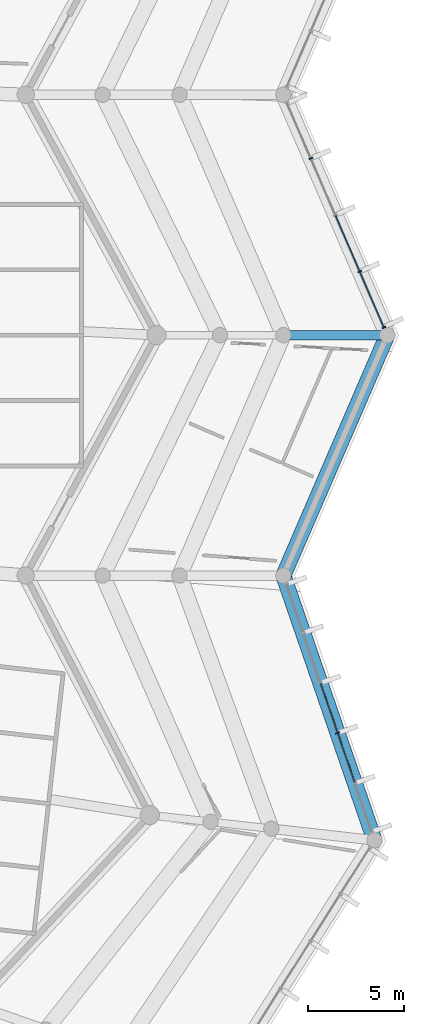
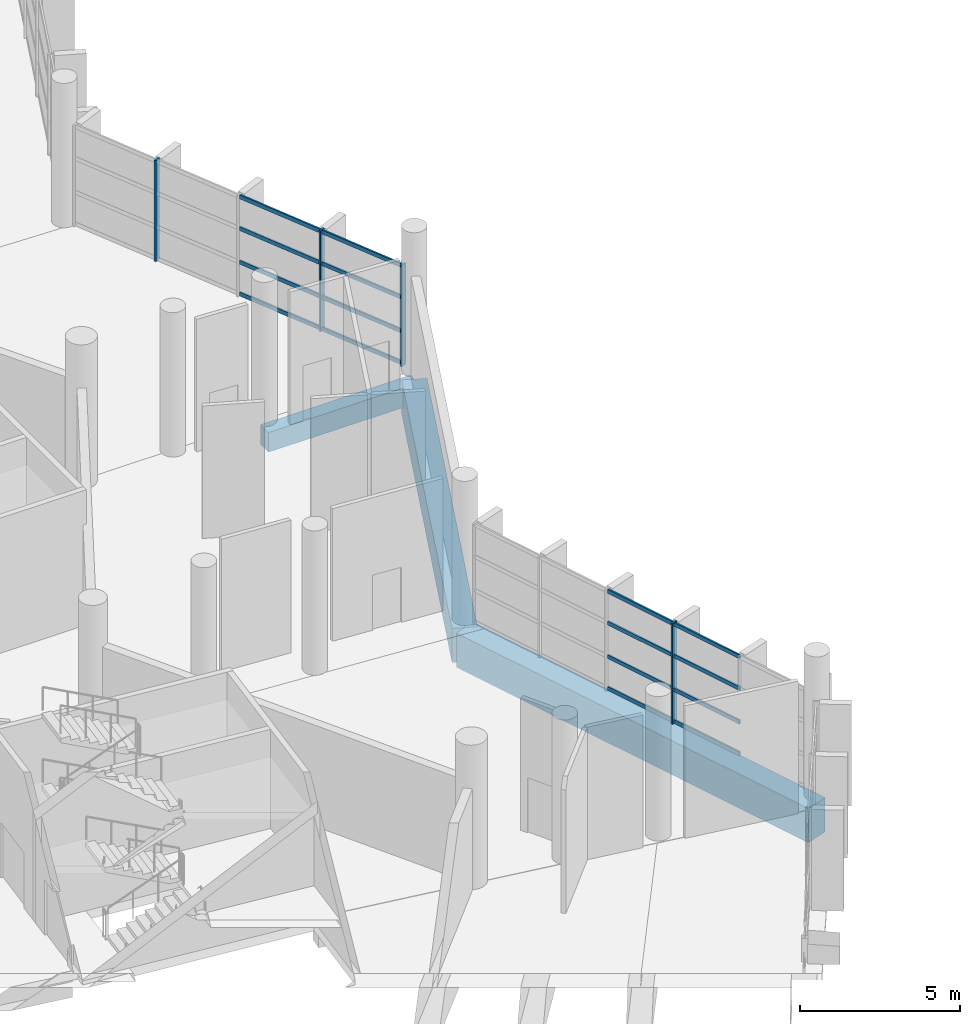
# One storey, part 61 of 271: 20 members, 3 beams, 2 elements without a shape of their own.
"""IFC4 building model written with IfcOpenShell, lengths in metres."""

from ifc_helpers import new_model, si_unit, direction, frame, origin, origin_2d, place, context, subcontext, project, spatial, rectangle, extrude, material, layer, layer_set, material_profile, profile_set, type_object, element, aggregate, save


model = new_model("IFC4")

# Units and contexts
model_context = context("Model", 3, precision=1e-05, world=origin(), true_north=direction((0.0, 1.0)))
body_context = subcontext(model_context, "Body", "Model", "MODEL_VIEW")
ifc_project = project(units=[si_unit("LENGTHUNIT", "METRE"), si_unit("AREAUNIT", "SQUARE_METRE"), si_unit("VOLUMEUNIT", "CUBIC_METRE"), si_unit("PLANEANGLEUNIT", "RADIAN"), si_unit("MASSUNIT", "GRAM", prefix="KILO")], contexts=[model_context])

# Site, building, storey
site_placement = place(None, origin())
site = spatial("IfcSite", under=ifc_project, at=site_placement, CompositionType="ELEMENT")
building_placement = place(site_placement, origin())
building = spatial("IfcBuilding", under=site, at=building_placement, Name="Meseta Stadium", CompositionType="ELEMENT")
storey_placement = place(building_placement, frame((0.0, 0.0, 6.5)))
storey = spatial("IfcBuildingStorey", under=building, at=storey_placement, Name="L01", CompositionType="ELEMENT", Elevation=6.5)

# Beams
ifc_material_1 = material(Name="Concrete C40/50", Category="concrete")
ifc_material_profile_1 = material_profile(ifc_material_1, rectangle(XDim=0.5, YDim=0.75, at=origin_2d()), Name="RC 500x750")
ifc_profile_set_1 = profile_set([ifc_material_profile_1], Name="Concrete C40/50")
beam_type_1 = type_object("IfcBeamType", Name="RC beam 500x750", PredefinedType="BEAM", material=ifc_profile_set_1)
beam_1_placement = place(storey_placement, frame((108.0, -31.25, -0.72509765625), z_axis=(1.0, 0.0, 0.0), x_axis=(0.0, 1.0, 0.0)))
element("IfcBeam", 1, at=beam_1_placement, inside=storey, type_object=beam_type_1, Name="L01 radial beam frame 2 line Q to O", PredefinedType="BEAM", context=body_context, shape_type="SweptSolid", body=[
    extrude(rectangle(XDim=0.5, YDim=0.75, at=origin_2d()), origin(), (0.0, 0.0, 1.0), 5.39990234375),
])
ifc_material_2 = material(Name="Concrete C40/50", Category="concrete")
ifc_material_profile_2 = material_profile(ifc_material_2, rectangle(XDim=0.800048828125, YDim=1.300048828125, at=origin_2d()), Name="RC 800x1300")
ifc_profile_set_2 = profile_set([ifc_material_profile_2], Name="Concrete C40/50")
beam_type_2 = type_object("IfcBeamType", Name="RC beam 800x1300", PredefinedType="BEAM", material=ifc_profile_set_2)
beam_2_placement = place(storey_placement, frame((112.73828125, -57.51953125, -1.0), z_axis=(-0.325387125895, 0.945580889349, 0.0), x_axis=(-0.945580889349, -0.325387125895, 0.0)))
element("IfcBeam", 2, at=beam_2_placement, inside=storey, type_object=beam_type_2, Name="L01 ring beam frame 0 line O", PredefinedType="BEAM", context=body_context, shape_type="SweptSolid", body=[
    extrude(rectangle(XDim=0.800048828125, YDim=1.300048828125, at=origin_2d()), origin(), (0.0, 0.0, 1.0), 14.56201171875),
])
beam_3_placement = place(storey_placement, frame((108.0, -43.75, -1.0), z_axis=(0.396570645327, 0.918004206562, 0.0), x_axis=(-0.918004206562, 0.396570645327, 0.0)))
element("IfcBeam", 3, at=beam_3_placement, inside=storey, type_object=beam_type_2, Name="L01 ring beam frame 1 line O", PredefinedType="BEAM", context=body_context, shape_type="SweptSolid", body=[
    extrude(rectangle(XDim=0.800048828125, YDim=1.300048828125, at=origin_2d()), origin(), (0.0, 0.0, 1.0), 13.616455078125),
])

# Curtain wall, member
ifc_material_3 = material(Name="Aluminium", Category="aluminium")
ifc_layer = layer(ifc_material_3, 0.199951171875)
ifc_layer_set = layer_set([ifc_layer], Name="Ring shopfront curtain wall")
curtain_wall_type = type_object("IfcCurtainWallType", Name="Ring shopfront curtain wall", PredefinedType="NOTDEFINED", material=ifc_layer_set)
curtain_wall_1_placement = place(storey_placement, origin())
curtain_wall_1 = element("IfcCurtainWall", 4, at=curtain_wall_1_placement, inside=storey, type_object=curtain_wall_type, Name="Ring glazing L01 F00", PredefinedType="NOTDEFINED")
ifc_material_4 = material(Name="Aluminium", Category="aluminium")
ifc_material_profile_3 = material_profile(ifc_material_4, rectangle(XDim=0.199951171875, YDim=0.06005859375, at=origin_2d()), Name="CW 200x60")
ifc_profile_set_3 = profile_set([ifc_material_profile_3], Name="Aluminium")
member_type_1 = type_object("IfcMemberType", Name="Ring CW mullion 60x200", PredefinedType="MULLION", material=ifc_profile_set_3)
member_1_placement = place(storey_placement, frame((110.81689453125, -51.93603515625, 0.0), z_axis=(0.0, 0.0, 1.0), x_axis=(-0.945581280042, -0.325385990532, 0.0)))
member_1 = element("IfcMember", 5, at=member_1_placement, type_object=member_type_1, Name="CWR1 mullion 3", PredefinedType="MULLION", context=body_context, shape_type="SweptSolid", body=[
    extrude(rectangle(XDim=0.199951171875, YDim=0.06005859375, at=origin_2d()), origin(), (0.0, 0.0, 1.0), 3.85009765625),
])

# Curtain wall, members
curtain_wall_2_placement = place(storey_placement, origin())
curtain_wall_2 = element("IfcCurtainWall", 6, at=curtain_wall_2_placement, inside=storey, type_object=curtain_wall_type, Name="Ring glazing L01 F02", PredefinedType="NOTDEFINED")
member_2_placement = place(storey_placement, frame((113.2294921875, -30.855224609375, 0.0), z_axis=(0.0, 0.0, 1.0), x_axis=(-0.91799986854, -0.396580687073, 0.0)))
member_2 = element("IfcMember", 7, at=member_2_placement, type_object=member_type_1, Name="CWR1 mullion 1", PredefinedType="MULLION", context=body_context, shape_type="SweptSolid", body=[
    extrude(rectangle(XDim=0.199951171875, YDim=0.06005859375, at=origin_2d()), origin(), (0.0, 0.0, 1.0), 3.85009765625),
])
member_3_placement = place(storey_placement, frame((111.970703125, -27.94140625, 0.0), z_axis=(0.0, 0.0, 1.0), x_axis=(-0.91799986854, -0.396580687073, 0.0)))
member_3 = element("IfcMember", 8, at=member_3_placement, type_object=member_type_1, Name="CWR1 mullion 2", PredefinedType="MULLION", context=body_context, shape_type="SweptSolid", body=[
    extrude(rectangle(XDim=0.199951171875, YDim=0.06005859375, at=origin_2d()), origin(), (0.0, 0.0, 1.0), 3.85009765625),
])
member_4_placement = place(storey_placement, frame((109.42919921875, -22.05859375, 0.0), z_axis=(0.0, 0.0, 1.0), x_axis=(-0.91799986854, -0.396580687073, 0.0)))
member_4 = element("IfcMember", 9, at=member_4_placement, type_object=member_type_1, Name="CWR1 mullion 4", PredefinedType="MULLION", context=body_context, shape_type="SweptSolid", body=[
    extrude(rectangle(XDim=0.199951171875, YDim=0.06005859375, at=origin_2d()), origin(), (0.0, 0.0, 1.0), 3.85009765625),
])

# Member
ifc_material_5 = material(Name="Aluminium", Category="aluminium")
ifc_material_profile_4 = material_profile(ifc_material_5, rectangle(XDim=0.06005859375, YDim=0.14990234375, at=origin_2d()), Name="CW 60x150")
ifc_profile_set_4 = profile_set([ifc_material_profile_4], Name="Aluminium")
member_type_2 = type_object("IfcMemberType", Name="Ring CW transom 60x150", PredefinedType="USERDEFINED", material=ifc_profile_set_4)
member_5_placement = place(storey_placement, frame((111.702880859375, -54.510498046875, 0.074951171875), z_axis=(-0.32543452855, 0.945564576128, 0.0), x_axis=(-0.945564576128, -0.32543452855, 0.0)))
member_5 = element("IfcMember", 10, at=member_5_placement, type_object=member_type_2, Name="CWR1 transom 2.1", ObjectType="TRANSOM", PredefinedType="USERDEFINED", context=body_context, shape_type="SweptSolid", body=[
    extrude(rectangle(XDim=0.06005859375, YDim=0.14990234375, at=origin_2d()), origin(), (0.0, 0.0, 1.0), 2.6923828125),
])

member_6_placement = place(storey_placement, frame((111.702880859375, -54.510498046875, 1.283447265625), z_axis=(-0.32543452855, 0.945564576128, 0.0), x_axis=(-0.945564576128, -0.32543452855, 0.0)))
member_6 = element("IfcMember", 11, at=member_6_placement, type_object=member_type_2, Name="CWR1 transom 2.2", ObjectType="TRANSOM", PredefinedType="USERDEFINED", context=body_context, shape_type="SweptSolid", body=[
    extrude(rectangle(XDim=0.06005859375, YDim=0.14990234375, at=origin_2d()), origin(), (0.0, 0.0, 1.0), 2.6923828125),
])

member_7_placement = place(storey_placement, frame((111.702880859375, -54.510498046875, 2.566650390625), z_axis=(-0.32543452855, 0.945564576128, 0.0), x_axis=(-0.945564576128, -0.32543452855, 0.0)))
member_7 = element("IfcMember", 12, at=member_7_placement, type_object=member_type_2, Name="CWR1 transom 2.3", ObjectType="TRANSOM", PredefinedType="USERDEFINED", context=body_context, shape_type="SweptSolid", body=[
    extrude(rectangle(XDim=0.06005859375, YDim=0.14990234375, at=origin_2d()), origin(), (0.0, 0.0, 1.0), 2.6923828125),
])

member_8_placement = place(storey_placement, frame((111.702880859375, -54.510498046875, 3.77490234375), z_axis=(-0.32543452855, 0.945564576128, 0.0), x_axis=(-0.945564576128, -0.32543452855, 0.0)))
member_8 = element("IfcMember", 13, at=member_8_placement, type_object=member_type_2, Name="CWR1 transom 2.4", ObjectType="TRANSOM", PredefinedType="USERDEFINED", context=body_context, shape_type="SweptSolid", body=[
    extrude(rectangle(XDim=0.06005859375, YDim=0.14990234375, at=origin_2d()), origin(), (0.0, 0.0, 1.0), 2.6923828125),
])

member_9_placement = place(storey_placement, frame((110.80712890625, -51.90771484375, 0.074951171875), z_axis=(-0.32535345265, 0.945592476096, 0.0), x_axis=(-0.945592476096, -0.32535345265, 0.0)))
member_9 = element("IfcMember", 14, at=member_9_placement, type_object=member_type_2, Name="CWR1 transom 3.1", ObjectType="TRANSOM", PredefinedType="USERDEFINED", context=body_context, shape_type="SweptSolid", body=[
    extrude(rectangle(XDim=0.06005859375, YDim=0.14990234375, at=origin_2d()), origin(), (0.0, 0.0, 1.0), 2.6923828125),
])

member_10_placement = place(storey_placement, frame((110.80712890625, -51.90771484375, 1.283447265625), z_axis=(-0.32535345265, 0.945592476096, 0.0), x_axis=(-0.945592476096, -0.32535345265, 0.0)))
member_10 = element("IfcMember", 15, at=member_10_placement, type_object=member_type_2, Name="CWR1 transom 3.2", ObjectType="TRANSOM", PredefinedType="USERDEFINED", context=body_context, shape_type="SweptSolid", body=[
    extrude(rectangle(XDim=0.06005859375, YDim=0.14990234375, at=origin_2d()), origin(), (0.0, 0.0, 1.0), 2.6923828125),
])

member_11_placement = place(storey_placement, frame((110.80712890625, -51.90771484375, 2.566650390625), z_axis=(-0.32535345265, 0.945592476096, 0.0), x_axis=(-0.945592476096, -0.32535345265, 0.0)))
member_11 = element("IfcMember", 16, at=member_11_placement, type_object=member_type_2, Name="CWR1 transom 3.3", ObjectType="TRANSOM", PredefinedType="USERDEFINED", context=body_context, shape_type="SweptSolid", body=[
    extrude(rectangle(XDim=0.06005859375, YDim=0.14990234375, at=origin_2d()), origin(), (0.0, 0.0, 1.0), 2.6923828125),
])

member_12_placement = place(storey_placement, frame((110.80712890625, -51.90771484375, 3.77490234375), z_axis=(-0.32535345265, 0.945592476096, 0.0), x_axis=(-0.945592476096, -0.32535345265, 0.0)))
member_12 = element("IfcMember", 17, at=member_12_placement, type_object=member_type_2, Name="CWR1 transom 3.4", ObjectType="TRANSOM", PredefinedType="USERDEFINED", context=body_context, shape_type="SweptSolid", body=[
    extrude(rectangle(XDim=0.06005859375, YDim=0.14990234375, at=origin_2d()), origin(), (0.0, 0.0, 1.0), 2.6923828125),
])

aggregate(curtain_wall_1, [member_1, member_5, member_6, member_7, member_8, member_9, member_10, member_11, member_12])

member_13_placement = place(storey_placement, frame((113.217529296875, -30.82763671875, 0.074951171875), z_axis=(-0.396557660608, 0.91800981575, 0.0), x_axis=(-0.91800981575, -0.396557660608, 0.0)))
member_13 = element("IfcMember", 18, at=member_13_placement, type_object=member_type_2, Name="CWR1 transom 1.1", ObjectType="TRANSOM", PredefinedType="USERDEFINED", context=body_context, shape_type="SweptSolid", body=[
    extrude(rectangle(XDim=0.06005859375, YDim=0.14990234375, at=origin_2d()), origin(), (0.0, 0.0, 1.0), 3.114013671875),
])

member_14_placement = place(storey_placement, frame((113.217529296875, -30.82763671875, 1.283447265625), z_axis=(-0.396557660608, 0.91800981575, 0.0), x_axis=(-0.91800981575, -0.396557660608, 0.0)))
member_14 = element("IfcMember", 19, at=member_14_placement, type_object=member_type_2, Name="CWR1 transom 1.2", ObjectType="TRANSOM", PredefinedType="USERDEFINED", context=body_context, shape_type="SweptSolid", body=[
    extrude(rectangle(XDim=0.06005859375, YDim=0.14990234375, at=origin_2d()), origin(), (0.0, 0.0, 1.0), 3.114013671875),
])

member_15_placement = place(storey_placement, frame((113.217529296875, -30.82763671875, 2.566650390625), z_axis=(-0.396557660608, 0.91800981575, 0.0), x_axis=(-0.91800981575, -0.396557660608, 0.0)))
member_15 = element("IfcMember", 20, at=member_15_placement, type_object=member_type_2, Name="CWR1 transom 1.3", ObjectType="TRANSOM", PredefinedType="USERDEFINED", context=body_context, shape_type="SweptSolid", body=[
    extrude(rectangle(XDim=0.06005859375, YDim=0.14990234375, at=origin_2d()), origin(), (0.0, 0.0, 1.0), 3.114013671875),
])

member_16_placement = place(storey_placement, frame((113.217529296875, -30.82763671875, 3.77490234375), z_axis=(-0.396557660608, 0.91800981575, 0.0), x_axis=(-0.91800981575, -0.396557660608, 0.0)))
member_16 = element("IfcMember", 21, at=member_16_placement, type_object=member_type_2, Name="CWR1 transom 1.4", ObjectType="TRANSOM", PredefinedType="USERDEFINED", context=body_context, shape_type="SweptSolid", body=[
    extrude(rectangle(XDim=0.06005859375, YDim=0.14990234375, at=origin_2d()), origin(), (0.0, 0.0, 1.0), 3.114013671875),
])

member_17_placement = place(storey_placement, frame((111.958740234375, -27.913818359375, 0.074951171875), z_axis=(-0.396569883564, 0.918004535637, 0.0), x_axis=(-0.918004535637, -0.396569883564, 0.0)))
member_17 = element("IfcMember", 22, at=member_17_placement, type_object=member_type_2, Name="CWR1 transom 2.1", ObjectType="TRANSOM", PredefinedType="USERDEFINED", context=body_context, shape_type="SweptSolid", body=[
    extrude(rectangle(XDim=0.06005859375, YDim=0.14990234375, at=origin_2d()), origin(), (0.0, 0.0, 1.0), 3.14404296875),
])

member_18_placement = place(storey_placement, frame((111.958740234375, -27.913818359375, 1.283447265625), z_axis=(-0.396569883564, 0.918004535637, 0.0), x_axis=(-0.918004535637, -0.396569883564, 0.0)))
member_18 = element("IfcMember", 23, at=member_18_placement, type_object=member_type_2, Name="CWR1 transom 2.2", ObjectType="TRANSOM", PredefinedType="USERDEFINED", context=body_context, shape_type="SweptSolid", body=[
    extrude(rectangle(XDim=0.06005859375, YDim=0.14990234375, at=origin_2d()), origin(), (0.0, 0.0, 1.0), 3.14404296875),
])

member_19_placement = place(storey_placement, frame((111.958740234375, -27.913818359375, 2.566650390625), z_axis=(-0.396569883564, 0.918004535637, 0.0), x_axis=(-0.918004535637, -0.396569883564, 0.0)))
member_19 = element("IfcMember", 24, at=member_19_placement, type_object=member_type_2, Name="CWR1 transom 2.3", ObjectType="TRANSOM", PredefinedType="USERDEFINED", context=body_context, shape_type="SweptSolid", body=[
    extrude(rectangle(XDim=0.06005859375, YDim=0.14990234375, at=origin_2d()), origin(), (0.0, 0.0, 1.0), 3.14404296875),
])

member_20_placement = place(storey_placement, frame((111.958740234375, -27.913818359375, 3.77490234375), z_axis=(-0.396569883564, 0.918004535637, 0.0), x_axis=(-0.918004535637, -0.396569883564, 0.0)))
member_20 = element("IfcMember", 25, at=member_20_placement, type_object=member_type_2, Name="CWR1 transom 2.4", ObjectType="TRANSOM", PredefinedType="USERDEFINED", context=body_context, shape_type="SweptSolid", body=[
    extrude(rectangle(XDim=0.06005859375, YDim=0.14990234375, at=origin_2d()), origin(), (0.0, 0.0, 1.0), 3.14404296875),
])

aggregate(curtain_wall_2, [member_2, member_3, member_4, member_13, member_14, member_15, member_16, member_17, member_18, member_19, member_20])

save(model, "model.ifc")
